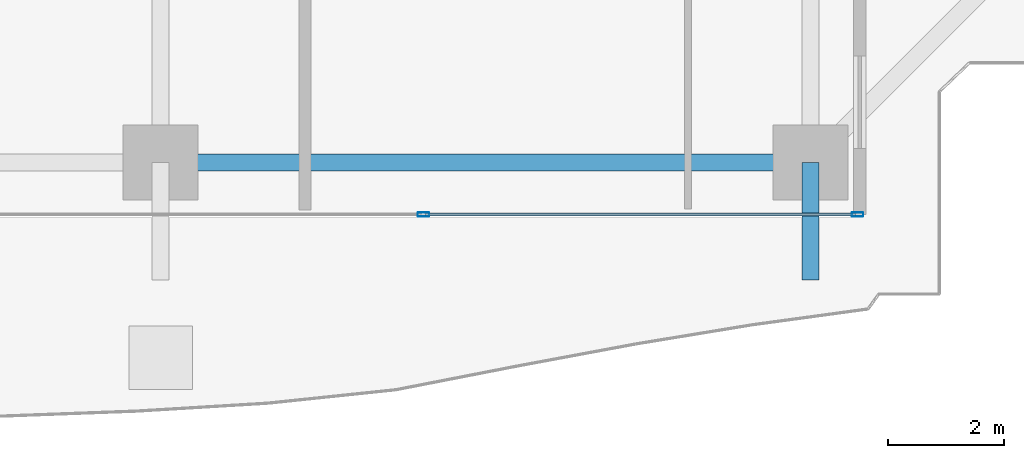
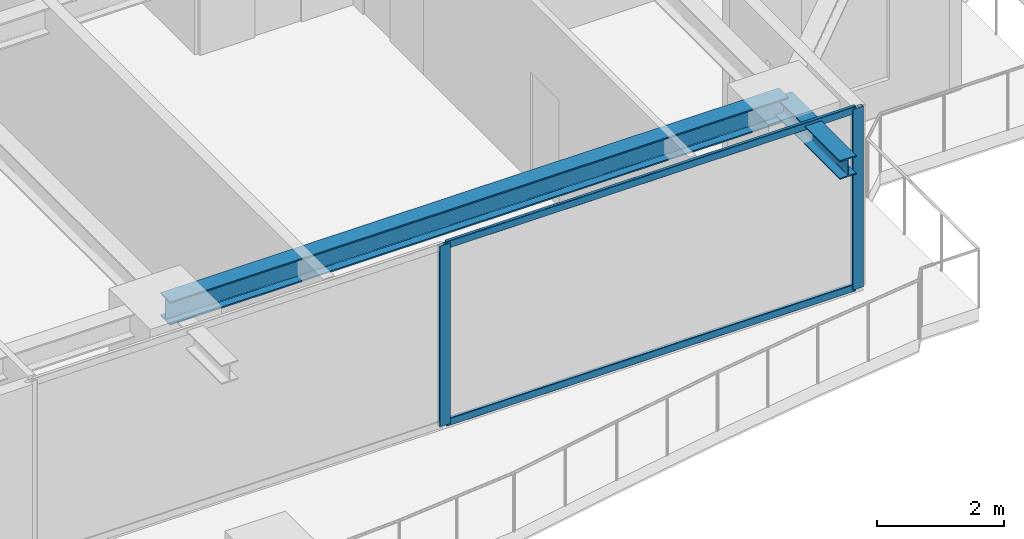
# One storey, part 11 of 37: 4 members, 2 beams, 1 element without a shape of its own.
"""IFC4 building model written with IfcOpenShell, lengths in metres."""

from ifc_helpers import new_model, si_unit, direction, frame, origin, origin_2d, place, context, subcontext, project, spatial, hollow_rectangle, i_section, extrude, source, transform, mapped, material, layer, layer_set, material_profile, profile_set, type_object, element, aggregate, save


model = new_model("IFC4")

# Units and contexts
model_context = context("Model", 3, precision=1e-05, world=origin(), true_north=direction((0.0, 1.0)))
body_context = subcontext(model_context, "Body", "Model", "MODEL_VIEW")
ifc_project = project(units=[si_unit("LENGTHUNIT", "METRE"), si_unit("AREAUNIT", "SQUARE_METRE"), si_unit("VOLUMEUNIT", "CUBIC_METRE"), si_unit("PLANEANGLEUNIT", "RADIAN"), si_unit("MASSUNIT", "GRAM", prefix="KILO")], contexts=[model_context])

# Site, building, storey
site_placement = place(None, origin())
site = spatial("IfcSite", under=ifc_project, at=site_placement, CompositionType="ELEMENT")
building_placement = place(site_placement, origin())
building = spatial("IfcBuilding", under=site, at=building_placement, Name="Serunith Strait Residences", CompositionType="ELEMENT")
storey_placement = place(building_placement, frame((0.0, 0.0, 161.39990234375)))
storey = spatial("IfcBuildingStorey", under=building, at=storey_placement, Name="L40", CompositionType="ELEMENT", Elevation=161.39990234375)

# Beams
ifc_material_1 = material(Name="Steel S355J2", Category="steel")
ifc_material_profile_1 = material_profile(ifc_material_1, i_section(OverallWidth=0.300048828125, OverallDepth=0.449951171875, WebThickness=0.013916015625, FlangeThickness=0.02587890625, FilletRadius=0.027099609375, at=origin_2d()), Name="HEB 450")
ifc_profile_set_1 = profile_set([ifc_material_profile_1], Name="Steel S355J2")
beam_type_1 = type_object("IfcBeamType", Name="BM-HEB450", PredefinedType="BEAM", material=ifc_profile_set_1)
shared_shape_1 = source(origin(), body_context, "Body", "SweptSolid", [
    extrude(i_section(OverallWidth=0.300048828125, OverallDepth=0.449951171875, WebThickness=0.013916015625, FlangeThickness=0.02587890625, FilletRadius=0.027099609375, at=origin_2d()), origin(), (0.0, 0.0, 1.0), 11.25),
])
beam_1_placement = place(storey_placement, frame((36.89990234375, 2.300048828125, 3.26220703125), z_axis=(1.0, 0.0, 0.0), x_axis=(0.0, 1.0, 0.0)))
element("IfcBeam", 1, at=beam_1_placement, inside=storey, type_object=beam_type_1, Name="L40 Perimeter Ring Beam 03", PredefinedType="BEAM", context=body_context, shape_type="MappedRepresentation", body=[
    mapped(shared_shape_1, transform((0.0, 0.0, 0.0), scale=1.0)),
])
ifc_material_profile_2 = material_profile(ifc_material_1, i_section(OverallWidth=0.300048828125, OverallDepth=0.360107421875, WebThickness=0.012451171875, FlangeThickness=0.0224609375, FilletRadius=0.027099609375, at=origin_2d()), Name="HEB 360")
ifc_profile_set_2 = profile_set([ifc_material_profile_2], Name="Steel S355J2")
beam_type_2 = type_object("IfcBeamType", Name="BM-HEB360", PredefinedType="BEAM", material=ifc_profile_set_2)
shared_shape_2 = source(origin(), body_context, "Body", "SweptSolid", [
    extrude(i_section(OverallWidth=0.300048828125, OverallDepth=0.360107421875, WebThickness=0.012451171875, FlangeThickness=0.0224609375, FilletRadius=0.027099609375, at=origin_2d()), origin(), (0.0, 0.0, 1.0), 2.030029296875),
])
beam_2_placement = place(storey_placement, frame((48.14990234375, 2.300048828125, 3.277099609375), z_axis=(0.0, -1.0, 0.0), x_axis=(1.0, 0.0, 0.0)))
element("IfcBeam", 2, at=beam_2_placement, inside=storey, type_object=beam_type_2, Name="L41 Cantilevered Balcony Rib TC-S4", PredefinedType="BEAM", context=body_context, shape_type="MappedRepresentation", body=[
    mapped(shared_shape_2, transform((0.0, 0.0, 0.0), scale=1.0)),
])

# Curtain wall, members
ifc_material_2 = material(Name="Pale-Champagne Anodised Aluminium", Category="aluminium")
ifc_layer = layer(ifc_material_2, 0.199951171875, Name="Pale-Champagne Anodised Aluminium")
ifc_layer_set = layer_set([ifc_layer], Name="Pale-Champagne Anodised Aluminium")
curtain_wall_type = type_object("IfcCurtainWallType", Name="CW-SYS2", PredefinedType="NOTDEFINED", material=ifc_layer_set)
curtain_wall_placement = place(storey_placement, origin())
curtain_wall = element("IfcCurtainWall", 3, at=curtain_wall_placement, inside=storey, type_object=curtain_wall_type, Name="L40 S Unitised Fritted Curtain Wall", PredefinedType="NOTDEFINED")
ifc_material_profile_3 = material_profile(ifc_material_2, hollow_rectangle(XDim=0.070068359375, YDim=0.199951171875, WallThickness=0.00390625, InnerFilletRadius=0.006103515625, OuterFilletRadius=0.010009765625, at=origin_2d()), Name="ALU 200x70x4")
ifc_profile_set_3 = profile_set([ifc_material_profile_3], Name="Pale-Champagne Anodised Aluminium")
member_type_1 = type_object("IfcMemberType", Name="CW-SYS2-MULL", PredefinedType="MULLION", material=ifc_profile_set_3)
shared_shape_3 = source(origin(), body_context, "Body", "SweptSolid", [
    extrude(hollow_rectangle(XDim=0.070068359375, YDim=0.199951171875, WallThickness=0.00390625, InnerFilletRadius=0.006103515625, OuterFilletRadius=0.010009765625, at=origin_2d()), origin(), (0.0, 0.0, 1.0), 3.47509765625),
])
member_1_placement = place(storey_placement, frame((41.449951171875, 1.39990234375, 0.0), z_axis=(0.0, 0.0, 1.0), x_axis=(0.0, 1.0, 0.0)))
member_1 = element("IfcMember", 4, at=member_1_placement, type_object=member_type_1, Name="CW-2 mullion 2", PredefinedType="MULLION", context=body_context, shape_type="MappedRepresentation", body=[
    mapped(shared_shape_3, transform((0.0, 0.0, 0.0), scale=1.0)),
])
member_2_placement = place(storey_placement, frame((48.965087890625, 1.39990234375, 0.0), z_axis=(0.0, 0.0, 1.0), x_axis=(0.0, 1.0, 0.0)))
member_2 = element("IfcMember", 5, at=member_2_placement, type_object=member_type_1, Name="CW-2 mullion 3", PredefinedType="MULLION", context=body_context, shape_type="MappedRepresentation", body=[
    mapped(shared_shape_3, transform((0.0, 0.0, 0.0), scale=1.0)),
])
ifc_material_profile_4 = material_profile(ifc_material_2, hollow_rectangle(XDim=0.06005859375, YDim=0.139892578125, WallThickness=0.00341796875, InnerFilletRadius=0.00537109375, OuterFilletRadius=0.0087890625, at=origin_2d()), Name="ALU 140x60x3.5")
ifc_profile_set_4 = profile_set([ifc_material_profile_4], Name="Pale-Champagne Anodised Aluminium")
member_type_2 = type_object("IfcMemberType", Name="CW-SYS2-TRAN", PredefinedType="USERDEFINED", material=ifc_profile_set_4)
shared_shape_4 = source(origin(), body_context, "Body", "SweptSolid", [
    extrude(hollow_rectangle(XDim=0.06005859375, YDim=0.139892578125, WallThickness=0.00341796875, InnerFilletRadius=0.00537109375, OuterFilletRadius=0.0087890625, at=origin_2d()), origin(), (0.0, 0.0, 1.0), 7.44482421875),
])
member_3_placement = place(storey_placement, frame((41.485107421875, 1.39990234375, 0.030029296875), z_axis=(1.0, 0.0, 0.0), x_axis=(0.0, 1.0, 0.0)))
member_3 = element("IfcMember", 6, at=member_3_placement, type_object=member_type_2, Name="CW-2 transom 2.1", ObjectType="TRANSOM", PredefinedType="USERDEFINED", context=body_context, shape_type="MappedRepresentation", body=[
    mapped(shared_shape_4, transform((0.0, 0.0, 0.0), scale=1.0)),
])
member_4_placement = place(storey_placement, frame((41.485107421875, 1.39990234375, 3.445068359375), z_axis=(1.0, 0.0, 0.0), x_axis=(0.0, 1.0, 0.0)))
member_4 = element("IfcMember", 7, at=member_4_placement, type_object=member_type_2, Name="CW-2 transom 2.2", ObjectType="TRANSOM", PredefinedType="USERDEFINED", context=body_context, shape_type="MappedRepresentation", body=[
    mapped(shared_shape_4, transform((0.0, 0.0, 0.0), scale=1.0)),
])
aggregate(curtain_wall, [member_1, member_2, member_3, member_4])

save(model, "model.ifc")
